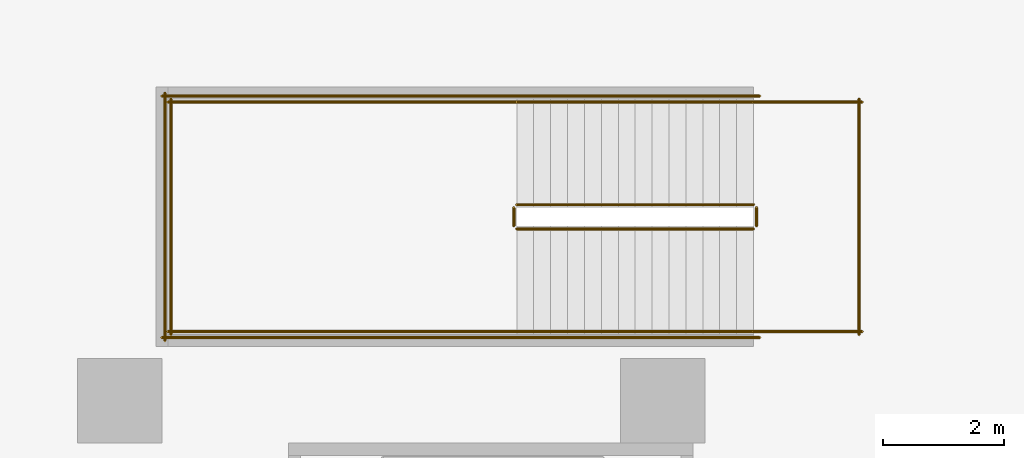
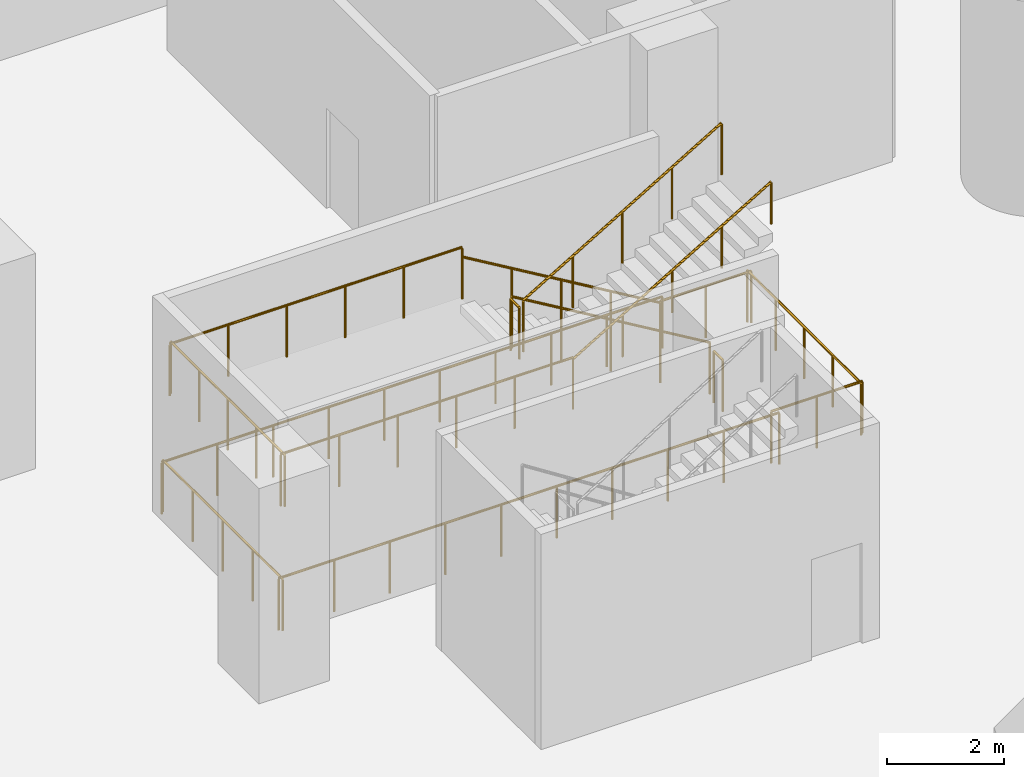
# One storey, part 41 of 44: 15 railings.
"""IFC4 building model written with IfcOpenShell, lengths in metres."""

from ifc_helpers import new_model, si_unit, direction, frame, origin, origin_2d, place, context, subcontext, project, spatial, circle, extrude, material, type_object, element, save


model = new_model("IFC4")

# Units and contexts
model_context = context("Model", 3, precision=1e-05, world=origin(), true_north=direction((0.0, 1.0)))
body_context = subcontext(model_context, "Body", "Model", "MODEL_VIEW")
ifc_project = project(units=[si_unit("LENGTHUNIT", "METRE"), si_unit("AREAUNIT", "SQUARE_METRE"), si_unit("VOLUMEUNIT", "CUBIC_METRE"), si_unit("PLANEANGLEUNIT", "RADIAN"), si_unit("MASSUNIT", "GRAM", prefix="KILO")], contexts=[model_context])

# Site, building, storey
site_placement = place(None, origin())
site = spatial("IfcSite", under=ifc_project, at=site_placement, CompositionType="ELEMENT")
building_placement = place(site_placement, origin())
building = spatial("IfcBuilding", under=site, at=building_placement, Name="Tamarind Cross Interchange Tower", CompositionType="ELEMENT")
storey_placement = place(building_placement, frame((0.0, 0.0, 15.0)))
storey = spatial("IfcBuildingStorey", under=building, at=storey_placement, Name="L02", CompositionType="ELEMENT", Elevation=15.0)

# Railings
ifc_material_1 = material(Name="Public stair guard")
railing_type_1 = type_object("IfcRailingType", Name="Public stair guard", PredefinedType="GUARDRAIL", material=ifc_material_1)
railing_1_placement = place(storey_placement, frame((-28.800048828125, 8.75, 0.166748046875)))
element("IfcRailing", 1, at=railing_1_placement, inside=storey, type_object=railing_type_1, Name="L02 PS-W stair guard 1", PredefinedType="GUARDRAIL", context=body_context, shape_type="SweptSolid", body=[
    extrude(circle(Radius=0.02392578125, at=origin_2d()), frame((0.0, 0.0, 1.076171875), z_axis=(-0.859296244711, 0.0, 0.511478214419), x_axis=(0.0, -1.0, 0.0)), (0.0, 0.0, 1.0), 4.561767578125),
    extrude(circle(Radius=0.02099609375, at=origin_2d()), origin(), (0.0, 0.0, 1.0), 1.052001953125),
    extrude(circle(Radius=0.02099609375, at=origin_2d()), frame((-0.97998046875, 0.0, 0.583251953125)), (0.0, 0.0, 1.0), 1.052001953125),
    extrude(circle(Radius=0.02099609375, at=origin_2d()), frame((-1.9599609375, 0.0, 1.16650390625)), (0.0, 0.0, 1.0), 1.052001953125),
    extrude(circle(Radius=0.02099609375, at=origin_2d()), frame((-2.93994140625, 0.0, 1.75)), (0.0, 0.0, 1.0), 1.052001953125),
    extrude(circle(Radius=0.02099609375, at=origin_2d()), frame((-3.919921875, 0.0, 2.333251953125)), (0.0, 0.0, 1.0), 1.052001953125),
])
railing_2_placement = place(storey_placement, frame((-32.77001953125, 8.699951171875, 2.5)))
element("IfcRailing", 2, at=railing_2_placement, inside=storey, type_object=railing_type_1, Name="L02 PS-W stair guard 2", PredefinedType="GUARDRAIL", context=body_context, shape_type="SweptSolid", body=[
    extrude(circle(Radius=0.02392578125, at=origin_2d()), frame((0.0, 0.0, 1.076171875), z_axis=(0.0, -1.0, 0.0), x_axis=(1.0, 0.0, 0.0)), (0.0, 0.0, 1.0), 0.300048828125),
    extrude(circle(Radius=0.02099609375, at=origin_2d()), origin(), (0.0, 0.0, 1.0), 1.052001953125),
    extrude(circle(Radius=0.02099609375, at=origin_2d()), frame((0.0, -0.300048828125, 0.0)), (0.0, 0.0, 1.0), 1.052001953125),
])
for number, where, name in (
    (3, (-32.719970703125, 10.449951171875, 2.5), "L02 PS-W stair guard 3"),
    (4, (-32.719970703125, 6.64990234375, 2.5), "L02 PS-W stair guard 4"),
):
    element("IfcRailing", number, at=place(storey_placement, frame(where)), inside=storey, type_object=railing_type_1, Name=name, PredefinedType="GUARDRAIL", context=body_context, shape_type="SweptSolid", body=[
        extrude(circle(Radius=0.02392578125, at=origin_2d()), frame((0.0, 0.0, 1.076171875), z_axis=(-1.0, 0.0, 0.0), x_axis=(0.0, -1.0, 0.0)), (0.0, 0.0, 1.0), 5.780029296875),
        extrude(circle(Radius=0.02099609375, at=origin_2d()), origin(), (0.0, 0.0, 1.0), 1.052001953125),
        extrude(circle(Radius=0.02099609375, at=origin_2d()), frame((-1.156005859375, 0.0, 0.0)), (0.0, 0.0, 1.0), 1.052001953125),
        extrude(circle(Radius=0.02099609375, at=origin_2d()), frame((-2.31201171875, 0.0, 0.0)), (0.0, 0.0, 1.0), 1.052001953125),
        extrude(circle(Radius=0.02099609375, at=origin_2d()), frame((-3.468017578125, 0.0, 0.0)), (0.0, 0.0, 1.0), 1.052001953125),
        extrude(circle(Radius=0.02099609375, at=origin_2d()), frame((-4.6240234375, 0.0, 0.0)), (0.0, 0.0, 1.0), 1.052001953125),
        extrude(circle(Radius=0.02099609375, at=origin_2d()), frame((-5.780029296875, 0.0, 0.0)), (0.0, 0.0, 1.0), 1.052001953125),
    ])
railing_3_placement = place(storey_placement, frame((-38.449951171875, 10.5, 2.5)))
element("IfcRailing", 5, at=railing_3_placement, inside=storey, type_object=railing_type_1, Name="L02 PS-W stair guard 5", PredefinedType="GUARDRAIL", context=body_context, shape_type="SweptSolid", body=[
    extrude(circle(Radius=0.02392578125, at=origin_2d()), frame((0.0, 0.0, 1.076171875), z_axis=(0.0, -1.0, 0.0), x_axis=(1.0, 0.0, 0.0)), (0.0, 0.0, 1.0), 3.89990234375),
    extrude(circle(Radius=0.02099609375, at=origin_2d()), origin(), (0.0, 0.0, 1.0), 1.052001953125),
    extrude(circle(Radius=0.02099609375, at=origin_2d()), frame((0.0, -0.97509765625, 0.0)), (0.0, 0.0, 1.0), 1.052001953125),
    extrude(circle(Radius=0.02099609375, at=origin_2d()), frame((0.0, -1.949951171875, 0.0)), (0.0, 0.0, 1.0), 1.052001953125),
    extrude(circle(Radius=0.02099609375, at=origin_2d()), frame((0.0, -2.9248046875, 0.0)), (0.0, 0.0, 1.0), 1.052001953125),
    extrude(circle(Radius=0.02099609375, at=origin_2d()), frame((0.0, -3.89990234375, 0.0)), (0.0, 0.0, 1.0), 1.052001953125),
])
railing_4_placement = place(storey_placement, frame((-32.719970703125, 8.35009765625, 2.666748046875)))
element("IfcRailing", 6, at=railing_4_placement, inside=storey, type_object=railing_type_1, Name="L02 PS-W stair guard 6", PredefinedType="GUARDRAIL", context=body_context, shape_type="SweptSolid", body=[
    extrude(circle(Radius=0.02392578125, at=origin_2d()), frame((0.0, 0.0, 1.076171875), z_axis=(0.859296244711, 0.0, 0.511478214419), x_axis=(0.0, 1.0, 0.0)), (0.0, 0.0, 1.0), 4.561767578125),
    extrude(circle(Radius=0.02099609375, at=origin_2d()), origin(), (0.0, 0.0, 1.0), 1.052001953125),
    extrude(circle(Radius=0.02099609375, at=origin_2d()), frame((0.97998046875, 0.0, 0.583251953125)), (0.0, 0.0, 1.0), 1.052001953125),
    extrude(circle(Radius=0.02099609375, at=origin_2d()), frame((1.9599609375, 0.0, 1.16650390625)), (0.0, 0.0, 1.0), 1.052001953125),
    extrude(circle(Radius=0.02099609375, at=origin_2d()), frame((2.93994140625, 0.0, 1.75)), (0.0, 0.0, 1.0), 1.052001953125),
    extrude(circle(Radius=0.02099609375, at=origin_2d()), frame((3.919921875, 0.0, 2.333251953125)), (0.0, 0.0, 1.0), 1.052001953125),
])
railing_5_placement = place(storey_placement, frame((-28.75, 8.699951171875, 0.0)))
element("IfcRailing", 7, at=railing_5_placement, inside=storey, type_object=railing_type_1, Name="L02 PS-W stair guard 7", PredefinedType="GUARDRAIL", context=body_context, shape_type="SweptSolid", body=[
    extrude(circle(Radius=0.02392578125, at=origin_2d()), frame((0.0, 0.0, 1.076171875), z_axis=(0.0, -1.0, 0.0), x_axis=(1.0, 0.0, 0.0)), (0.0, 0.0, 1.0), 0.300048828125),
    extrude(circle(Radius=0.02099609375, at=origin_2d()), origin(), (0.0, 0.0, 1.0), 1.052001953125),
    extrude(circle(Radius=0.02099609375, at=origin_2d()), frame((0.0, -0.300048828125, 0.0)), (0.0, 0.0, 1.0), 1.052001953125),
])
for number, where, name in (
    (8, (-27.0, 10.449951171875, 0.0), "L02 PS-W stair guard 8"),
    (9, (-27.0, 6.64990234375, 0.0), "L02 PS-W stair guard 9"),
):
    element("IfcRailing", number, at=place(storey_placement, frame(where)), inside=storey, type_object=railing_type_1, Name=name, PredefinedType="GUARDRAIL", context=body_context, shape_type="SweptSolid", body=[
        extrude(circle(Radius=0.02392578125, at=origin_2d()), frame((0.0, 0.0, 1.076171875), z_axis=(-1.0, 0.0, 0.0), x_axis=(0.0, -1.0, 0.0)), (0.0, 0.0, 1.0), 1.800048828125),
        extrude(circle(Radius=0.02099609375, at=origin_2d()), origin(), (0.0, 0.0, 1.0), 1.052001953125),
        extrude(circle(Radius=0.02099609375, at=origin_2d()), frame((-0.89990234375, 0.0, 0.0)), (0.0, 0.0, 1.0), 1.052001953125),
        extrude(circle(Radius=0.02099609375, at=origin_2d()), frame((-1.800048828125, 0.0, 0.0)), (0.0, 0.0, 1.0), 1.052001953125),
    ])
railing_6_placement = place(storey_placement, frame((-27.050048828125, 10.5, 0.0)))
element("IfcRailing", 10, at=railing_6_placement, inside=storey, type_object=railing_type_1, Name="L02 PS-W stair guard 10", PredefinedType="GUARDRAIL", context=body_context, shape_type="SweptSolid", body=[
    extrude(circle(Radius=0.02392578125, at=origin_2d()), frame((0.0, 0.0, 1.076171875), z_axis=(0.0, -1.0, 0.0), x_axis=(1.0, 0.0, 0.0)), (0.0, 0.0, 1.0), 3.89990234375),
    extrude(circle(Radius=0.02099609375, at=origin_2d()), origin(), (0.0, 0.0, 1.0), 1.052001953125),
    extrude(circle(Radius=0.02099609375, at=origin_2d()), frame((0.0, -0.97509765625, 0.0)), (0.0, 0.0, 1.0), 1.052001953125),
    extrude(circle(Radius=0.02099609375, at=origin_2d()), frame((0.0, -1.949951171875, 0.0)), (0.0, 0.0, 1.0), 1.052001953125),
    extrude(circle(Radius=0.02099609375, at=origin_2d()), frame((0.0, -2.9248046875, 0.0)), (0.0, 0.0, 1.0), 1.052001953125),
    extrude(circle(Radius=0.02099609375, at=origin_2d()), frame((0.0, -3.89990234375, 0.0)), (0.0, 0.0, 1.0), 1.052001953125),
])
for number, where, name in (
    (11, (-28.699951171875, 10.550048828125, 0.0), "L02 PS-W stair guard 11"),
    (12, (-28.699951171875, 6.550048828125, 0.0), "L02 PS-W stair guard 12"),
):
    element("IfcRailing", number, at=place(storey_placement, frame(where)), inside=storey, type_object=railing_type_1, Name=name, PredefinedType="GUARDRAIL", context=body_context, shape_type="SweptSolid", body=[
        extrude(circle(Radius=0.02392578125, at=origin_2d()), frame((0.0, 0.0, 1.076171875), z_axis=(-1.0, 0.0, 0.0), x_axis=(0.0, -1.0, 0.0)), (0.0, 0.0, 1.0), 9.900146484375),
        extrude(circle(Radius=0.02099609375, at=origin_2d()), origin(), (0.0, 0.0, 1.0), 1.052001953125),
        extrude(circle(Radius=0.02099609375, at=origin_2d()), frame((-1.10009765625, 0.0, 0.0)), (0.0, 0.0, 1.0), 1.052001953125),
        extrude(circle(Radius=0.02099609375, at=origin_2d()), frame((-2.199951171875, 0.0, 0.0)), (0.0, 0.0, 1.0), 1.052001953125),
        extrude(circle(Radius=0.02099609375, at=origin_2d()), frame((-3.300048828125, 0.0, 0.0)), (0.0, 0.0, 1.0), 1.052001953125),
        extrude(circle(Radius=0.02099609375, at=origin_2d()), frame((-4.400146484375, 0.0, 0.0)), (0.0, 0.0, 1.0), 1.052001953125),
        extrude(circle(Radius=0.02099609375, at=origin_2d()), frame((-5.5, 0.0, 0.0)), (0.0, 0.0, 1.0), 1.052001953125),
        extrude(circle(Radius=0.02099609375, at=origin_2d()), frame((-6.60009765625, 0.0, 0.0)), (0.0, 0.0, 1.0), 1.052001953125),
        extrude(circle(Radius=0.02099609375, at=origin_2d()), frame((-7.7001953125, 0.0, 0.0)), (0.0, 0.0, 1.0), 1.052001953125),
        extrude(circle(Radius=0.02099609375, at=origin_2d()), frame((-8.800048828125, 0.0, 0.0)), (0.0, 0.0, 1.0), 1.052001953125),
        extrude(circle(Radius=0.02099609375, at=origin_2d()), frame((-9.900146484375, 0.0, 0.0)), (0.0, 0.0, 1.0), 1.052001953125),
    ])
railing_7_placement = place(storey_placement, frame((-38.550048828125, 10.60009765625, 0.0)))
element("IfcRailing", 13, at=railing_7_placement, inside=storey, type_object=railing_type_1, Name="L02 PS-W stair guard 13", PredefinedType="GUARDRAIL", context=body_context, shape_type="SweptSolid", body=[
    extrude(circle(Radius=0.02392578125, at=origin_2d()), frame((0.0, 0.0, 1.076171875), z_axis=(0.0, -1.0, 0.0), x_axis=(1.0, 0.0, 0.0)), (0.0, 0.0, 1.0), 4.10009765625),
    extrude(circle(Radius=0.02099609375, at=origin_2d()), origin(), (0.0, 0.0, 1.0), 1.052001953125),
    extrude(circle(Radius=0.02099609375, at=origin_2d()), frame((0.0, -1.02490234375, 0.0)), (0.0, 0.0, 1.0), 1.052001953125),
    extrude(circle(Radius=0.02099609375, at=origin_2d()), frame((0.0, -2.050048828125, 0.0)), (0.0, 0.0, 1.0), 1.052001953125),
    extrude(circle(Radius=0.02099609375, at=origin_2d()), frame((0.0, -3.0751953125, 0.0)), (0.0, 0.0, 1.0), 1.052001953125),
    extrude(circle(Radius=0.02099609375, at=origin_2d()), frame((0.0, -4.10009765625, 0.0)), (0.0, 0.0, 1.0), 1.052001953125),
])
ifc_material_2 = material(Name="Public stair handrail")
railing_type_2 = type_object("IfcRailingType", Name="Public stair handrail", PredefinedType="HANDRAIL", material=ifc_material_2)
railing_8_placement = place(storey_placement, frame((-28.800048828125, 10.449951171875, 0.166748046875)))
element("IfcRailing", 14, at=railing_8_placement, inside=storey, type_object=railing_type_2, Name="L02 PS-W stair handrail 1", PredefinedType="HANDRAIL", context=body_context, shape_type="SweptSolid", body=[
    extrude(circle(Radius=0.02392578125, at=origin_2d()), frame((0.0, 0.0, 0.8759765625), z_axis=(-0.859296244711, 0.0, 0.511478214419), x_axis=(0.0, -1.0, 0.0)), (0.0, 0.0, 1.0), 4.561767578125),
    extrude(circle(Radius=0.02099609375, at=origin_2d()), origin(), (0.0, 0.0, 1.0), 0.851806640625),
    extrude(circle(Radius=0.02099609375, at=origin_2d()), frame((-0.97998046875, 0.0, 0.583251953125)), (0.0, 0.0, 1.0), 0.851806640625),
    extrude(circle(Radius=0.02099609375, at=origin_2d()), frame((-1.9599609375, 0.0, 1.16650390625)), (0.0, 0.0, 1.0), 0.851806640625),
    extrude(circle(Radius=0.02099609375, at=origin_2d()), frame((-2.93994140625, 0.0, 1.75)), (0.0, 0.0, 1.0), 0.851806640625),
    extrude(circle(Radius=0.02099609375, at=origin_2d()), frame((-3.919921875, 0.0, 2.333251953125)), (0.0, 0.0, 1.0), 0.851806640625),
])
railing_9_placement = place(storey_placement, frame((-32.719970703125, 6.64990234375, 2.666748046875)))
element("IfcRailing", 15, at=railing_9_placement, inside=storey, type_object=railing_type_2, Name="L02 PS-W stair handrail 2", PredefinedType="HANDRAIL", context=body_context, shape_type="SweptSolid", body=[
    extrude(circle(Radius=0.02392578125, at=origin_2d()), frame((0.0, 0.0, 0.8759765625), z_axis=(0.859296244711, 0.0, 0.511478214419), x_axis=(0.0, 1.0, 0.0)), (0.0, 0.0, 1.0), 4.561767578125),
    extrude(circle(Radius=0.02099609375, at=origin_2d()), origin(), (0.0, 0.0, 1.0), 0.851806640625),
    extrude(circle(Radius=0.02099609375, at=origin_2d()), frame((0.97998046875, 0.0, 0.583251953125)), (0.0, 0.0, 1.0), 0.851806640625),
    extrude(circle(Radius=0.02099609375, at=origin_2d()), frame((1.9599609375, 0.0, 1.16650390625)), (0.0, 0.0, 1.0), 0.851806640625),
    extrude(circle(Radius=0.02099609375, at=origin_2d()), frame((2.93994140625, 0.0, 1.75)), (0.0, 0.0, 1.0), 0.851806640625),
    extrude(circle(Radius=0.02099609375, at=origin_2d()), frame((3.919921875, 0.0, 2.333251953125)), (0.0, 0.0, 1.0), 0.851806640625),
])

save(model, "model.ifc")
